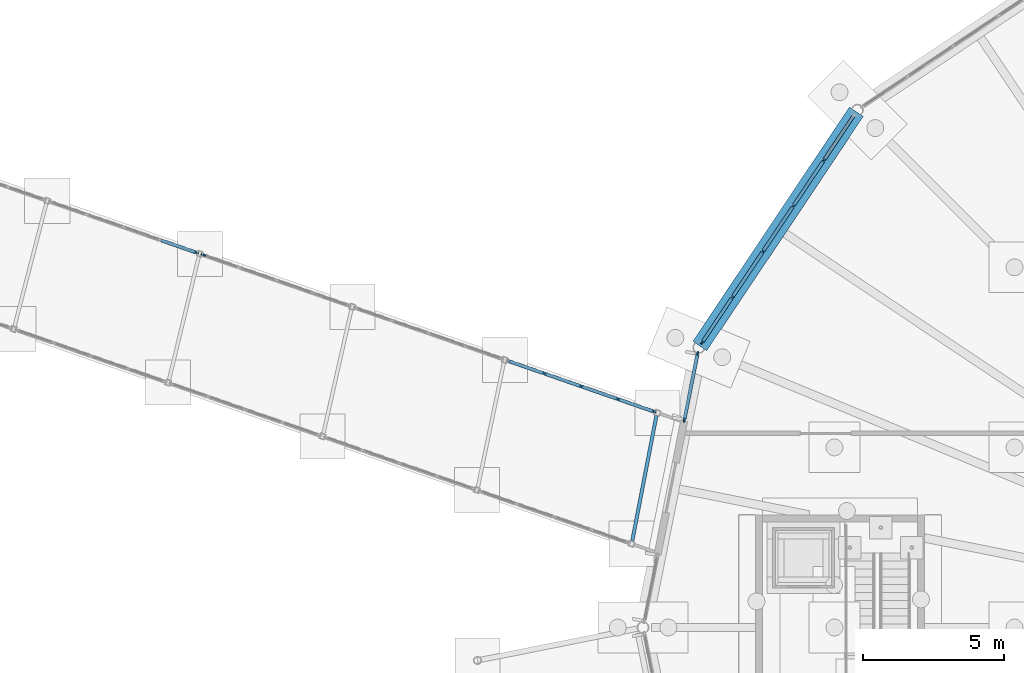
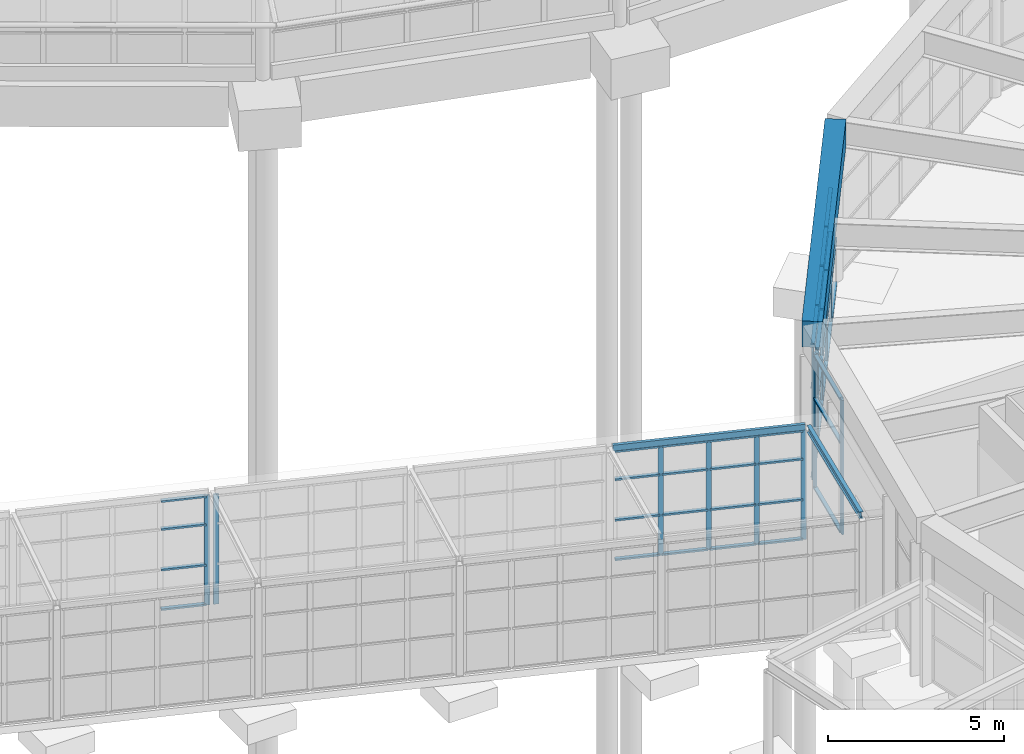
# One storey, part 57 of 226: 55 members, 3 beams, 5 elements without a shape of their own.
"""IFC4 building model written with IfcOpenShell, lengths in metres."""

from ifc_helpers import new_model, si_unit, direction, frame, origin, origin_2d, place, context, subcontext, project, spatial, rectangle, hollow_rectangle, i_section, extrude, material, material_profile, profile_set, type_object, element, aggregate, save


model = new_model("IFC4")

# Units and contexts
model_context = context("Model", 3, precision=1e-05, world=origin(), true_north=direction((0.0, 1.0)))
body_context = subcontext(model_context, "Body", "Model", "MODEL_VIEW")
ifc_project = project(units=[si_unit("LENGTHUNIT", "METRE"), si_unit("AREAUNIT", "SQUARE_METRE"), si_unit("VOLUMEUNIT", "CUBIC_METRE"), si_unit("PLANEANGLEUNIT", "RADIAN"), si_unit("MASSUNIT", "GRAM", prefix="KILO")], contexts=[model_context])

# Site, building, storey
site_placement = place(None, origin())
site = spatial("IfcSite", under=ifc_project, at=site_placement, CompositionType="ELEMENT")
building_placement = place(site_placement, origin())
building = spatial("IfcBuilding", under=site, at=building_placement, Name="Ceibo Conservatory and Research Tower", CompositionType="ELEMENT")
storey_placement = place(building_placement, origin())
storey = spatial("IfcBuildingStorey", under=building, at=storey_placement, Name="L00", CompositionType="ELEMENT", Elevation=0.0)

# Curtain wall, member
ifc_material_1 = material(Name="Aluminium and glass", Category="aluminium")
curtain_wall_type_1 = type_object("IfcCurtainWallType", Name="Gallery curtain wall", PredefinedType="NOTDEFINED", material=ifc_material_1)
curtain_wall_1_placement = place(storey_placement, origin())
curtain_wall_1 = element("IfcCurtainWall", 1, at=curtain_wall_1_placement, inside=storey, type_object=curtain_wall_type_1, Name="Gallery curtain wall AUD-VC-CWN11", PredefinedType="NOTDEFINED")
ifc_material_2 = material(Name="Aluminium", Category="aluminium")
ifc_material_profile_1 = material_profile(ifc_material_2, rectangle(XDim=0.06005859375, YDim=0.159912109375, at=origin_2d()), Name="AL 60x160")
ifc_profile_set_1 = profile_set([ifc_material_profile_1], Name="Aluminium")
member_type_1 = type_object("IfcMemberType", Name="Gallery mullion 60x160", PredefinedType="MULLION", material=ifc_profile_set_1)
member_1_placement = place(storey_placement, frame((126.123291015625, 49.324462890625, 0.0), z_axis=(0.0, 0.0, 1.0), x_axis=(0.328283515513, 0.944579236191, 0.0)))
member_1 = element("IfcMember", 2, at=member_1_placement, type_object=member_type_1, Name="AUD-VC-CWN11 mullion 5", PredefinedType="MULLION", context=body_context, shape_type="SweptSolid", body=[
    extrude(rectangle(XDim=0.06005859375, YDim=0.159912109375, at=origin_2d()), origin(), (0.0, 0.0, 1.0), 3.800048828125),
])

curtain_wall_2_placement = place(storey_placement, origin())
curtain_wall_2 = element("IfcCurtainWall", 3, at=curtain_wall_2_placement, inside=storey, type_object=curtain_wall_type_1, Name="Gallery curtain wall AUD-VC-CWN12", PredefinedType="NOTDEFINED")
member_2_placement = place(storey_placement, frame((126.368896484375, 49.2392578125, 0.0), z_axis=(0.0, 0.0, 1.0), x_axis=(0.328283515513, 0.944579236191, 0.0)))
member_2 = element("IfcMember", 4, at=member_2_placement, type_object=member_type_1, Name="AUD-VC-CWN12 mullion 1", PredefinedType="MULLION", context=body_context, shape_type="SweptSolid", body=[
    extrude(rectangle(XDim=0.06005859375, YDim=0.159912109375, at=origin_2d()), origin(), (0.0, 0.0, 1.0), 3.800048828125),
])
aggregate(curtain_wall_2, [member_2])

# Curtain wall, members
curtain_wall_3_placement = place(storey_placement, origin())
curtain_wall_3 = element("IfcCurtainWall", 5, at=curtain_wall_3_placement, inside=storey, type_object=curtain_wall_type_1, Name="Gallery curtain wall AUD-VC-CWN14", PredefinedType="NOTDEFINED")
member_3_placement = place(storey_placement, frame((138.48974609375, 45.026611328125, 0.0), z_axis=(0.0, 0.0, 1.0), x_axis=(0.328283515513, 0.944579236191, 0.0)))
member_3 = element("IfcMember", 6, at=member_3_placement, type_object=member_type_1, Name="AUD-VC-CWN14 mullion 2", PredefinedType="MULLION", context=body_context, shape_type="SweptSolid", body=[
    extrude(rectangle(XDim=0.06005859375, YDim=0.159912109375, at=origin_2d()), origin(), (0.0, 0.0, 1.0), 3.800048828125),
])
member_4_placement = place(storey_placement, frame((139.797607421875, 44.572021484375, 0.0), z_axis=(0.0, 0.0, 1.0), x_axis=(0.328283515513, 0.944579236191, 0.0)))
member_4 = element("IfcMember", 7, at=member_4_placement, type_object=member_type_1, Name="AUD-VC-CWN14 mullion 3", PredefinedType="MULLION", context=body_context, shape_type="SweptSolid", body=[
    extrude(rectangle(XDim=0.06005859375, YDim=0.159912109375, at=origin_2d()), origin(), (0.0, 0.0, 1.0), 3.800048828125),
])
member_5_placement = place(storey_placement, frame((141.10546875, 44.11767578125, 0.0), z_axis=(0.0, 0.0, 1.0), x_axis=(0.328283515513, 0.944579236191, 0.0)))
member_5 = element("IfcMember", 8, at=member_5_placement, type_object=member_type_1, Name="AUD-VC-CWN14 mullion 4", PredefinedType="MULLION", context=body_context, shape_type="SweptSolid", body=[
    extrude(rectangle(XDim=0.06005859375, YDim=0.159912109375, at=origin_2d()), origin(), (0.0, 0.0, 1.0), 3.800048828125),
])
member_6_placement = place(storey_placement, frame((142.385009765625, 43.6728515625, 0.0), z_axis=(0.0, 0.0, 1.0), x_axis=(0.328283515513, 0.944579236191, 0.0)))
member_6 = element("IfcMember", 9, at=member_6_placement, type_object=member_type_1, Name="AUD-VC-CWN14 mullion 5", PredefinedType="MULLION", context=body_context, shape_type="SweptSolid", body=[
    extrude(rectangle(XDim=0.06005859375, YDim=0.159912109375, at=origin_2d()), origin(), (0.0, 0.0, 1.0), 3.800048828125),
])

# Member
ifc_material_profile_2 = material_profile(ifc_material_2, rectangle(XDim=0.1201171875, YDim=0.06005859375, at=origin_2d()), Name="AL 60x120")
ifc_profile_set_2 = profile_set([ifc_material_profile_2], Name="Aluminium")
member_type_2 = type_object("IfcMemberType", Name="Gallery transom 60x120", PredefinedType="USERDEFINED", material=ifc_profile_set_2)
member_7_placement = place(storey_placement, frame((124.8720703125, 49.759521484375, 0.030029296875), z_axis=(0.944570549154, -0.328308509898, 0.0), x_axis=(0.328308509898, 0.944570549154, 0.0)))
member_7 = element("IfcMember", 10, at=member_7_placement, type_object=member_type_2, Name="AUD-VC-CWN11 transom 4.1", ObjectType="TRANSOM", PredefinedType="USERDEFINED", context=body_context, shape_type="SweptSolid", body=[
    extrude(rectangle(XDim=0.1201171875, YDim=0.06005859375, at=origin_2d()), origin(), (0.0, 0.0, 1.0), 1.294677734375),
])

member_8_placement = place(storey_placement, frame((124.8720703125, 49.759521484375, 1.39990234375), z_axis=(0.944570549154, -0.328308509898, 0.0), x_axis=(0.328308509898, 0.944570549154, 0.0)))
member_8 = element("IfcMember", 11, at=member_8_placement, type_object=member_type_2, Name="AUD-VC-CWN11 transom 4.2", ObjectType="TRANSOM", PredefinedType="USERDEFINED", context=body_context, shape_type="SweptSolid", body=[
    extrude(rectangle(XDim=0.1201171875, YDim=0.06005859375, at=origin_2d()), origin(), (0.0, 0.0, 1.0), 1.294677734375),
])

member_9_placement = place(storey_placement, frame((124.8720703125, 49.759521484375, 2.800048828125), z_axis=(0.944570549154, -0.328308509898, 0.0), x_axis=(0.328308509898, 0.944570549154, 0.0)))
member_9 = element("IfcMember", 12, at=member_9_placement, type_object=member_type_2, Name="AUD-VC-CWN11 transom 4.3", ObjectType="TRANSOM", PredefinedType="USERDEFINED", context=body_context, shape_type="SweptSolid", body=[
    extrude(rectangle(XDim=0.1201171875, YDim=0.06005859375, at=origin_2d()), origin(), (0.0, 0.0, 1.0), 1.294677734375),
])

member_10_placement = place(storey_placement, frame((124.8720703125, 49.759521484375, 3.77001953125), z_axis=(0.944570549154, -0.328308509898, 0.0), x_axis=(0.328308509898, 0.944570549154, 0.0)))
member_10 = element("IfcMember", 13, at=member_10_placement, type_object=member_type_2, Name="AUD-VC-CWN11 transom 4.4", ObjectType="TRANSOM", PredefinedType="USERDEFINED", context=body_context, shape_type="SweptSolid", body=[
    extrude(rectangle(XDim=0.1201171875, YDim=0.06005859375, at=origin_2d()), origin(), (0.0, 0.0, 1.0), 1.294677734375),
])

aggregate(curtain_wall_1, [member_1, member_7, member_8, member_9, member_10])

member_11_placement = place(storey_placement, frame((137.23828125, 45.461669921875, 0.030029296875), z_axis=(0.944570549154, -0.328308509898, 0.0), x_axis=(0.328308509898, 0.944570549154, 0.0)))
member_11 = element("IfcMember", 14, at=member_11_placement, type_object=member_type_2, Name="AUD-VC-CWN14 transom 1.1", ObjectType="TRANSOM", PredefinedType="USERDEFINED", context=body_context, shape_type="SweptSolid", body=[
    extrude(rectangle(XDim=0.1201171875, YDim=0.06005859375, at=origin_2d()), origin(), (0.0, 0.0, 1.0), 1.294677734375),
])

member_12_placement = place(storey_placement, frame((137.23828125, 45.461669921875, 1.39990234375), z_axis=(0.944570549154, -0.328308509898, 0.0), x_axis=(0.328308509898, 0.944570549154, 0.0)))
member_12 = element("IfcMember", 15, at=member_12_placement, type_object=member_type_2, Name="AUD-VC-CWN14 transom 1.2", ObjectType="TRANSOM", PredefinedType="USERDEFINED", context=body_context, shape_type="SweptSolid", body=[
    extrude(rectangle(XDim=0.1201171875, YDim=0.06005859375, at=origin_2d()), origin(), (0.0, 0.0, 1.0), 1.294677734375),
])

member_13_placement = place(storey_placement, frame((137.23828125, 45.461669921875, 2.800048828125), z_axis=(0.944570549154, -0.328308509898, 0.0), x_axis=(0.328308509898, 0.944570549154, 0.0)))
member_13 = element("IfcMember", 16, at=member_13_placement, type_object=member_type_2, Name="AUD-VC-CWN14 transom 1.3", ObjectType="TRANSOM", PredefinedType="USERDEFINED", context=body_context, shape_type="SweptSolid", body=[
    extrude(rectangle(XDim=0.1201171875, YDim=0.06005859375, at=origin_2d()), origin(), (0.0, 0.0, 1.0), 1.294677734375),
])

member_14_placement = place(storey_placement, frame((137.23828125, 45.461669921875, 3.77001953125), z_axis=(0.944570549154, -0.328308509898, 0.0), x_axis=(0.328308509898, 0.944570549154, 0.0)))
member_14 = element("IfcMember", 17, at=member_14_placement, type_object=member_type_2, Name="AUD-VC-CWN14 transom 1.4", ObjectType="TRANSOM", PredefinedType="USERDEFINED", context=body_context, shape_type="SweptSolid", body=[
    extrude(rectangle(XDim=0.1201171875, YDim=0.06005859375, at=origin_2d()), origin(), (0.0, 0.0, 1.0), 1.294677734375),
])

member_15_placement = place(storey_placement, frame((138.51806640625, 45.016845703125, 0.030029296875), z_axis=(0.944588759267, -0.32825611322, 0.0), x_axis=(0.32825611322, 0.944588759267, 0.0)))
member_15 = element("IfcMember", 18, at=member_15_placement, type_object=member_type_2, Name="AUD-VC-CWN14 transom 2.1", ObjectType="TRANSOM", PredefinedType="USERDEFINED", context=body_context, shape_type="SweptSolid", body=[
    extrude(rectangle(XDim=0.1201171875, YDim=0.06005859375, at=origin_2d()), origin(), (0.0, 0.0, 1.0), 1.32470703125),
])

member_16_placement = place(storey_placement, frame((138.51806640625, 45.016845703125, 1.39990234375), z_axis=(0.944588759267, -0.32825611322, 0.0), x_axis=(0.32825611322, 0.944588759267, 0.0)))
member_16 = element("IfcMember", 19, at=member_16_placement, type_object=member_type_2, Name="AUD-VC-CWN14 transom 2.2", ObjectType="TRANSOM", PredefinedType="USERDEFINED", context=body_context, shape_type="SweptSolid", body=[
    extrude(rectangle(XDim=0.1201171875, YDim=0.06005859375, at=origin_2d()), origin(), (0.0, 0.0, 1.0), 1.32470703125),
])

member_17_placement = place(storey_placement, frame((138.51806640625, 45.016845703125, 2.800048828125), z_axis=(0.944588759267, -0.32825611322, 0.0), x_axis=(0.32825611322, 0.944588759267, 0.0)))
member_17 = element("IfcMember", 20, at=member_17_placement, type_object=member_type_2, Name="AUD-VC-CWN14 transom 2.3", ObjectType="TRANSOM", PredefinedType="USERDEFINED", context=body_context, shape_type="SweptSolid", body=[
    extrude(rectangle(XDim=0.1201171875, YDim=0.06005859375, at=origin_2d()), origin(), (0.0, 0.0, 1.0), 1.32470703125),
])

member_18_placement = place(storey_placement, frame((138.51806640625, 45.016845703125, 3.77001953125), z_axis=(0.944588759267, -0.32825611322, 0.0), x_axis=(0.32825611322, 0.944588759267, 0.0)))
member_18 = element("IfcMember", 21, at=member_18_placement, type_object=member_type_2, Name="AUD-VC-CWN14 transom 2.4", ObjectType="TRANSOM", PredefinedType="USERDEFINED", context=body_context, shape_type="SweptSolid", body=[
    extrude(rectangle(XDim=0.1201171875, YDim=0.06005859375, at=origin_2d()), origin(), (0.0, 0.0, 1.0), 1.32470703125),
])

member_19_placement = place(storey_placement, frame((139.825927734375, 44.562255859375, 0.030029296875), z_axis=(0.944588759267, -0.32825611322, 0.0), x_axis=(0.32825611322, 0.944588759267, 0.0)))
member_19 = element("IfcMember", 22, at=member_19_placement, type_object=member_type_2, Name="AUD-VC-CWN14 transom 3.1", ObjectType="TRANSOM", PredefinedType="USERDEFINED", context=body_context, shape_type="SweptSolid", body=[
    extrude(rectangle(XDim=0.1201171875, YDim=0.06005859375, at=origin_2d()), origin(), (0.0, 0.0, 1.0), 1.32470703125),
])

member_20_placement = place(storey_placement, frame((139.825927734375, 44.562255859375, 1.39990234375), z_axis=(0.944588759267, -0.32825611322, 0.0), x_axis=(0.32825611322, 0.944588759267, 0.0)))
member_20 = element("IfcMember", 23, at=member_20_placement, type_object=member_type_2, Name="AUD-VC-CWN14 transom 3.2", ObjectType="TRANSOM", PredefinedType="USERDEFINED", context=body_context, shape_type="SweptSolid", body=[
    extrude(rectangle(XDim=0.1201171875, YDim=0.06005859375, at=origin_2d()), origin(), (0.0, 0.0, 1.0), 1.32470703125),
])

member_21_placement = place(storey_placement, frame((139.825927734375, 44.562255859375, 2.800048828125), z_axis=(0.944588759267, -0.32825611322, 0.0), x_axis=(0.32825611322, 0.944588759267, 0.0)))
member_21 = element("IfcMember", 24, at=member_21_placement, type_object=member_type_2, Name="AUD-VC-CWN14 transom 3.3", ObjectType="TRANSOM", PredefinedType="USERDEFINED", context=body_context, shape_type="SweptSolid", body=[
    extrude(rectangle(XDim=0.1201171875, YDim=0.06005859375, at=origin_2d()), origin(), (0.0, 0.0, 1.0), 1.32470703125),
])

member_22_placement = place(storey_placement, frame((139.825927734375, 44.562255859375, 3.77001953125), z_axis=(0.944588759267, -0.32825611322, 0.0), x_axis=(0.32825611322, 0.944588759267, 0.0)))
member_22 = element("IfcMember", 25, at=member_22_placement, type_object=member_type_2, Name="AUD-VC-CWN14 transom 3.4", ObjectType="TRANSOM", PredefinedType="USERDEFINED", context=body_context, shape_type="SweptSolid", body=[
    extrude(rectangle(XDim=0.1201171875, YDim=0.06005859375, at=origin_2d()), origin(), (0.0, 0.0, 1.0), 1.32470703125),
])

member_23_placement = place(storey_placement, frame((141.1337890625, 44.107666015625, 0.030029296875), z_axis=(0.944570549154, -0.328308509898, 0.0), x_axis=(0.328308509898, 0.944570549154, 0.0)))
member_23 = element("IfcMember", 26, at=member_23_placement, type_object=member_type_2, Name="AUD-VC-CWN14 transom 4.1", ObjectType="TRANSOM", PredefinedType="USERDEFINED", context=body_context, shape_type="SweptSolid", body=[
    extrude(rectangle(XDim=0.1201171875, YDim=0.06005859375, at=origin_2d()), origin(), (0.0, 0.0, 1.0), 1.294677734375),
])

member_24_placement = place(storey_placement, frame((141.1337890625, 44.107666015625, 1.39990234375), z_axis=(0.944570549154, -0.328308509898, 0.0), x_axis=(0.328308509898, 0.944570549154, 0.0)))
member_24 = element("IfcMember", 27, at=member_24_placement, type_object=member_type_2, Name="AUD-VC-CWN14 transom 4.2", ObjectType="TRANSOM", PredefinedType="USERDEFINED", context=body_context, shape_type="SweptSolid", body=[
    extrude(rectangle(XDim=0.1201171875, YDim=0.06005859375, at=origin_2d()), origin(), (0.0, 0.0, 1.0), 1.294677734375),
])

member_25_placement = place(storey_placement, frame((141.1337890625, 44.107666015625, 2.800048828125), z_axis=(0.944570549154, -0.328308509898, 0.0), x_axis=(0.328308509898, 0.944570549154, 0.0)))
member_25 = element("IfcMember", 28, at=member_25_placement, type_object=member_type_2, Name="AUD-VC-CWN14 transom 4.3", ObjectType="TRANSOM", PredefinedType="USERDEFINED", context=body_context, shape_type="SweptSolid", body=[
    extrude(rectangle(XDim=0.1201171875, YDim=0.06005859375, at=origin_2d()), origin(), (0.0, 0.0, 1.0), 1.294677734375),
])

member_26_placement = place(storey_placement, frame((141.1337890625, 44.107666015625, 3.77001953125), z_axis=(0.944570549154, -0.328308509898, 0.0), x_axis=(0.328308509898, 0.944570549154, 0.0)))
member_26 = element("IfcMember", 29, at=member_26_placement, type_object=member_type_2, Name="AUD-VC-CWN14 transom 4.4", ObjectType="TRANSOM", PredefinedType="USERDEFINED", context=body_context, shape_type="SweptSolid", body=[
    extrude(rectangle(XDim=0.1201171875, YDim=0.06005859375, at=origin_2d()), origin(), (0.0, 0.0, 1.0), 1.294677734375),
])

aggregate(curtain_wall_3, [member_3, member_4, member_5, member_6, member_11, member_12, member_13, member_14, member_15, member_16, member_17, member_18, member_19, member_20, member_21, member_22, member_23, member_24, member_25, member_26])

# Beam
ifc_material_3 = material(Name="Steel S355J2", Category="steel")
ifc_material_profile_3 = material_profile(ifc_material_3, i_section(OverallWidth=0.1201171875, OverallDepth=0.239990234375, WebThickness=0.006103515625, FlangeThickness=0.009765625, at=origin_2d()), Name="IPE 240")
ifc_profile_set_3 = profile_set([ifc_material_profile_3], Name="Steel S355J2")
beam_type_1 = type_object("IfcBeamType", Name="IPE 240 roof beam", PredefinedType="BEAM", material=ifc_profile_set_3)
beam_1_placement = place(storey_placement, frame((142.4765625, 43.54052734375, 3.8798828125), z_axis=(-0.189435520747, -0.981893162966, 0.0), x_axis=(0.981893162966, -0.189435520747, 0.0)))
element("IfcBeam", 30, at=beam_1_placement, inside=storey, type_object=beam_type_1, Name="Gallery roof beam AUD-VC-RB14", PredefinedType="BEAM", context=body_context, shape_type="SweptSolid", body=[
    extrude(i_section(OverallWidth=0.1201171875, OverallDepth=0.239990234375, WebThickness=0.006103515625, FlangeThickness=0.009765625, at=origin_2d()), origin(), (0.0, 0.0, 1.0), 4.55712890625),
])

# Curtain wall, members
curtain_wall_type_2 = type_object("IfcCurtainWallType", Name="Pavilion curtain wall", PredefinedType="NOTDEFINED", material=ifc_material_1)
curtain_wall_4_placement = place(storey_placement, origin())
curtain_wall_4 = element("IfcCurtainWall", 31, at=curtain_wall_4_placement, inside=storey, type_object=curtain_wall_type_2, Name="Pavilion curtain wall VC-CW07", PredefinedType="NOTDEFINED")
ifc_material_profile_4 = material_profile(ifc_material_2, rectangle(XDim=0.06005859375, YDim=0.159912109375, at=origin_2d()), Name="AL 60x160")
ifc_profile_set_4 = profile_set([ifc_material_profile_4], Name="Aluminium")
member_type_3 = type_object("IfcMemberType", Name="Pavilion mullion 60x160", PredefinedType="MULLION", material=ifc_profile_set_4)
member_27_placement = place(storey_placement, frame((148.420166015625, 52.596435546875, 0.0), z_axis=(0.0, 0.0, 1.0), x_axis=(0.831469588992, -0.555570267906, 0.0)))
member_27 = element("IfcMember", 32, at=member_27_placement, type_object=member_type_3, Name="VC-CW07 mullion 2", PredefinedType="MULLION", context=body_context, shape_type="SweptSolid", body=[
    extrude(rectangle(XDim=0.06005859375, YDim=0.159912109375, at=origin_2d()), origin(), (0.0, 0.0, 1.0), 4.64892578125),
])
member_28_placement = place(storey_placement, frame((147.338134765625, 50.97705078125, 0.0), z_axis=(0.0, 0.0, 1.0), x_axis=(0.831469588992, -0.555570267906, 0.0)))
member_28 = element("IfcMember", 33, at=member_28_placement, type_object=member_type_3, Name="VC-CW07 mullion 3", PredefinedType="MULLION", context=body_context, shape_type="SweptSolid", body=[
    extrude(rectangle(XDim=0.06005859375, YDim=0.159912109375, at=origin_2d()), origin(), (0.0, 0.0, 1.0), 4.64892578125),
])
member_29_placement = place(storey_placement, frame((146.256103515625, 49.357666015625, 0.0), z_axis=(0.0, 0.0, 1.0), x_axis=(0.831469588992, -0.555570267906, 0.0)))
member_29 = element("IfcMember", 34, at=member_29_placement, type_object=member_type_3, Name="VC-CW07 mullion 4", PredefinedType="MULLION", context=body_context, shape_type="SweptSolid", body=[
    extrude(rectangle(XDim=0.06005859375, YDim=0.159912109375, at=origin_2d()), origin(), (0.0, 0.0, 1.0), 4.64892578125),
])
member_30_placement = place(storey_placement, frame((145.174072265625, 47.738037109375, 0.0), z_axis=(0.0, 0.0, 1.0), x_axis=(0.831469588992, -0.555570267906, 0.0)))
member_30 = element("IfcMember", 35, at=member_30_placement, type_object=member_type_3, Name="VC-CW07 mullion 5", PredefinedType="MULLION", context=body_context, shape_type="SweptSolid", body=[
    extrude(rectangle(XDim=0.06005859375, YDim=0.159912109375, at=origin_2d()), origin(), (0.0, 0.0, 1.0), 4.64892578125),
])
member_31_placement = place(storey_placement, frame((144.108642578125, 46.1435546875, 0.0), z_axis=(0.0, 0.0, 1.0), x_axis=(0.831469588992, -0.555570267906, 0.0)))
member_31 = element("IfcMember", 36, at=member_31_placement, type_object=member_type_3, Name="VC-CW07 mullion 6", PredefinedType="MULLION", context=body_context, shape_type="SweptSolid", body=[
    extrude(rectangle(XDim=0.06005859375, YDim=0.159912109375, at=origin_2d()), origin(), (0.0, 0.0, 1.0), 4.64892578125),
])

curtain_wall_5_placement = place(storey_placement, origin())
curtain_wall_5 = element("IfcCurtainWall", 37, at=curtain_wall_5_placement, inside=storey, type_object=curtain_wall_type_2, Name="Pavilion curtain wall VC-CW08W", PredefinedType="NOTDEFINED")
member_32_placement = place(storey_placement, frame((143.93359375, 45.720947265625, 0.0), z_axis=(0.0, 0.0, 1.0), x_axis=(0.980785282416, -0.195090311899, 0.0)))
member_32 = element("IfcMember", 38, at=member_32_placement, type_object=member_type_3, Name="VC-CW08W mullion 1", PredefinedType="MULLION", context=body_context, shape_type="SweptSolid", body=[
    extrude(rectangle(XDim=0.06005859375, YDim=0.159912109375, at=origin_2d()), origin(), (0.0, 0.0, 1.0), 4.64892578125),
])
member_33_placement = place(storey_placement, frame((143.468017578125, 43.380859375, 0.0), z_axis=(0.0, 0.0, 1.0), x_axis=(0.980785282416, -0.195090311899, 0.0)))
member_33 = element("IfcMember", 39, at=member_33_placement, type_object=member_type_3, Name="VC-CW08W mullion 2", PredefinedType="MULLION", context=body_context, shape_type="SweptSolid", body=[
    extrude(rectangle(XDim=0.06005859375, YDim=0.159912109375, at=origin_2d()), origin(), (0.0, 0.0, 1.0), 4.64892578125),
])

# Member
ifc_material_profile_5 = material_profile(ifc_material_2, rectangle(XDim=0.1201171875, YDim=0.06005859375, at=origin_2d()), Name="AL 60x120")
ifc_profile_set_5 = profile_set([ifc_material_profile_5], Name="Aluminium")
member_type_4 = type_object("IfcMemberType", Name="Pavilion transom 60x120", PredefinedType="USERDEFINED", material=ifc_profile_set_5)
member_34_placement = place(storey_placement, frame((149.468994140625, 54.166015625, 0.030029296875), z_axis=(-0.555518784793, -0.831503986606, 0.0), x_axis=(0.831503986606, -0.555518784793, 0.0)))
member_34 = element("IfcMember", 40, at=member_34_placement, type_object=member_type_4, Name="VC-CW07 transom 1.1", ObjectType="TRANSOM", PredefinedType="USERDEFINED", context=body_context, shape_type="SweptSolid", body=[
    extrude(rectangle(XDim=0.1201171875, YDim=0.06005859375, at=origin_2d()), origin(), (0.0, 0.0, 1.0), 1.857666015625),
])

member_35_placement = place(storey_placement, frame((149.468994140625, 54.166015625, 1.5810546875), z_axis=(-0.555518784793, -0.831503986606, 0.0), x_axis=(0.831503986606, -0.555518784793, 0.0)))
member_35 = element("IfcMember", 41, at=member_35_placement, type_object=member_type_4, Name="VC-CW07 transom 1.2", ObjectType="TRANSOM", PredefinedType="USERDEFINED", context=body_context, shape_type="SweptSolid", body=[
    extrude(rectangle(XDim=0.1201171875, YDim=0.06005859375, at=origin_2d()), origin(), (0.0, 0.0, 1.0), 1.857666015625),
])

member_36_placement = place(storey_placement, frame((148.403564453125, 52.571533203125, 0.030029296875), z_axis=(-0.555505809977, -0.831512654794, 0.0), x_axis=(0.831512654794, -0.555505809977, 0.0)))
member_36 = element("IfcMember", 42, at=member_36_placement, type_object=member_type_4, Name="VC-CW07 transom 2.1", ObjectType="TRANSOM", PredefinedType="USERDEFINED", context=body_context, shape_type="SweptSolid", body=[
    extrude(rectangle(XDim=0.1201171875, YDim=0.06005859375, at=origin_2d()), origin(), (0.0, 0.0, 1.0), 1.8876953125),
])

member_37_placement = place(storey_placement, frame((148.403564453125, 52.571533203125, 1.5810546875), z_axis=(-0.555505809977, -0.831512654794, 0.0), x_axis=(0.831512654794, -0.555505809977, 0.0)))
member_37 = element("IfcMember", 43, at=member_37_placement, type_object=member_type_4, Name="VC-CW07 transom 2.2", ObjectType="TRANSOM", PredefinedType="USERDEFINED", context=body_context, shape_type="SweptSolid", body=[
    extrude(rectangle(XDim=0.1201171875, YDim=0.06005859375, at=origin_2d()), origin(), (0.0, 0.0, 1.0), 1.8876953125),
])

member_38_placement = place(storey_placement, frame((148.403564453125, 52.571533203125, 3.114990234375), z_axis=(-0.555505809977, -0.831512654794, 0.0), x_axis=(0.831512654794, -0.555505809977, 0.0)))
member_38 = element("IfcMember", 44, at=member_38_placement, type_object=member_type_4, Name="VC-CW07 transom 2.3", ObjectType="TRANSOM", PredefinedType="USERDEFINED", context=body_context, shape_type="SweptSolid", body=[
    extrude(rectangle(XDim=0.1201171875, YDim=0.06005859375, at=origin_2d()), origin(), (0.0, 0.0, 1.0), 1.8876953125),
])

member_39_placement = place(storey_placement, frame((148.403564453125, 52.571533203125, 4.618896484375), z_axis=(-0.555505809977, -0.831512654794, 0.0), x_axis=(0.831512654794, -0.555505809977, 0.0)))
member_39 = element("IfcMember", 45, at=member_39_placement, type_object=member_type_4, Name="VC-CW07 transom 2.4", ObjectType="TRANSOM", PredefinedType="USERDEFINED", context=body_context, shape_type="SweptSolid", body=[
    extrude(rectangle(XDim=0.1201171875, YDim=0.06005859375, at=origin_2d()), origin(), (0.0, 0.0, 1.0), 1.8876953125),
])

member_40_placement = place(storey_placement, frame((147.321533203125, 50.9521484375, 0.030029296875), z_axis=(-0.555595226207, -0.831452911845, 0.0), x_axis=(0.831452911845, -0.555595226207, 0.0)))
member_40 = element("IfcMember", 46, at=member_40_placement, type_object=member_type_4, Name="VC-CW07 transom 3.1", ObjectType="TRANSOM", PredefinedType="USERDEFINED", context=body_context, shape_type="SweptSolid", body=[
    extrude(rectangle(XDim=0.1201171875, YDim=0.06005859375, at=origin_2d()), origin(), (0.0, 0.0, 1.0), 1.8876953125),
])

member_41_placement = place(storey_placement, frame((147.321533203125, 50.9521484375, 1.5810546875), z_axis=(-0.555595226207, -0.831452911845, 0.0), x_axis=(0.831452911845, -0.555595226207, 0.0)))
member_41 = element("IfcMember", 47, at=member_41_placement, type_object=member_type_4, Name="VC-CW07 transom 3.2", ObjectType="TRANSOM", PredefinedType="USERDEFINED", context=body_context, shape_type="SweptSolid", body=[
    extrude(rectangle(XDim=0.1201171875, YDim=0.06005859375, at=origin_2d()), origin(), (0.0, 0.0, 1.0), 1.8876953125),
])

member_42_placement = place(storey_placement, frame((147.321533203125, 50.9521484375, 3.114990234375), z_axis=(-0.555595226207, -0.831452911845, 0.0), x_axis=(0.831452911845, -0.555595226207, 0.0)))
member_42 = element("IfcMember", 48, at=member_42_placement, type_object=member_type_4, Name="VC-CW07 transom 3.3", ObjectType="TRANSOM", PredefinedType="USERDEFINED", context=body_context, shape_type="SweptSolid", body=[
    extrude(rectangle(XDim=0.1201171875, YDim=0.06005859375, at=origin_2d()), origin(), (0.0, 0.0, 1.0), 1.8876953125),
])

member_43_placement = place(storey_placement, frame((147.321533203125, 50.9521484375, 4.618896484375), z_axis=(-0.555595226207, -0.831452911845, 0.0), x_axis=(0.831452911845, -0.555595226207, 0.0)))
member_43 = element("IfcMember", 49, at=member_43_placement, type_object=member_type_4, Name="VC-CW07 transom 3.4", ObjectType="TRANSOM", PredefinedType="USERDEFINED", context=body_context, shape_type="SweptSolid", body=[
    extrude(rectangle(XDim=0.1201171875, YDim=0.06005859375, at=origin_2d()), origin(), (0.0, 0.0, 1.0), 1.8876953125),
])

member_44_placement = place(storey_placement, frame((146.239501953125, 49.33251953125, 0.030029296875), z_axis=(-0.555654974661, -0.831412983501, 0.0), x_axis=(0.831412983501, -0.555654974661, 0.0)))
member_44 = element("IfcMember", 50, at=member_44_placement, type_object=member_type_4, Name="VC-CW07 transom 4.1", ObjectType="TRANSOM", PredefinedType="USERDEFINED", context=body_context, shape_type="SweptSolid", body=[
    extrude(rectangle(XDim=0.1201171875, YDim=0.06005859375, at=origin_2d()), origin(), (0.0, 0.0, 1.0), 1.887451171875),
])

member_45_placement = place(storey_placement, frame((146.239501953125, 49.33251953125, 1.5810546875), z_axis=(-0.555654974661, -0.831412983501, 0.0), x_axis=(0.831412983501, -0.555654974661, 0.0)))
member_45 = element("IfcMember", 51, at=member_45_placement, type_object=member_type_4, Name="VC-CW07 transom 4.2", ObjectType="TRANSOM", PredefinedType="USERDEFINED", context=body_context, shape_type="SweptSolid", body=[
    extrude(rectangle(XDim=0.1201171875, YDim=0.06005859375, at=origin_2d()), origin(), (0.0, 0.0, 1.0), 1.887451171875),
])

member_46_placement = place(storey_placement, frame((146.239501953125, 49.33251953125, 3.114990234375), z_axis=(-0.555654974661, -0.831412983501, 0.0), x_axis=(0.831412983501, -0.555654974661, 0.0)))
member_46 = element("IfcMember", 52, at=member_46_placement, type_object=member_type_4, Name="VC-CW07 transom 4.3", ObjectType="TRANSOM", PredefinedType="USERDEFINED", context=body_context, shape_type="SweptSolid", body=[
    extrude(rectangle(XDim=0.1201171875, YDim=0.06005859375, at=origin_2d()), origin(), (0.0, 0.0, 1.0), 1.887451171875),
])

member_47_placement = place(storey_placement, frame((146.239501953125, 49.33251953125, 4.618896484375), z_axis=(-0.555654974661, -0.831412983501, 0.0), x_axis=(0.831412983501, -0.555654974661, 0.0)))
member_47 = element("IfcMember", 53, at=member_47_placement, type_object=member_type_4, Name="VC-CW07 transom 4.4", ObjectType="TRANSOM", PredefinedType="USERDEFINED", context=body_context, shape_type="SweptSolid", body=[
    extrude(rectangle(XDim=0.1201171875, YDim=0.06005859375, at=origin_2d()), origin(), (0.0, 0.0, 1.0), 1.887451171875),
])

member_48_placement = place(storey_placement, frame((145.157470703125, 47.713134765625, 0.030029296875), z_axis=(-0.555670351469, -0.831402706574, 0.0), x_axis=(0.831402706574, -0.555670351469, 0.0)))
member_48 = element("IfcMember", 54, at=member_48_placement, type_object=member_type_4, Name="VC-CW07 transom 5.1", ObjectType="TRANSOM", PredefinedType="USERDEFINED", context=body_context, shape_type="SweptSolid", body=[
    extrude(rectangle(XDim=0.1201171875, YDim=0.06005859375, at=origin_2d()), origin(), (0.0, 0.0, 1.0), 1.857666015625),
])

member_49_placement = place(storey_placement, frame((145.157470703125, 47.713134765625, 1.5810546875), z_axis=(-0.555670351469, -0.831402706574, 0.0), x_axis=(0.831402706574, -0.555670351469, 0.0)))
member_49 = element("IfcMember", 55, at=member_49_placement, type_object=member_type_4, Name="VC-CW07 transom 5.2", ObjectType="TRANSOM", PredefinedType="USERDEFINED", context=body_context, shape_type="SweptSolid", body=[
    extrude(rectangle(XDim=0.1201171875, YDim=0.06005859375, at=origin_2d()), origin(), (0.0, 0.0, 1.0), 1.857666015625),
])

member_50_placement = place(storey_placement, frame((145.157470703125, 47.713134765625, 3.114990234375), z_axis=(-0.555670351469, -0.831402706574, 0.0), x_axis=(0.831402706574, -0.555670351469, 0.0)))
member_50 = element("IfcMember", 56, at=member_50_placement, type_object=member_type_4, Name="VC-CW07 transom 5.3", ObjectType="TRANSOM", PredefinedType="USERDEFINED", context=body_context, shape_type="SweptSolid", body=[
    extrude(rectangle(XDim=0.1201171875, YDim=0.06005859375, at=origin_2d()), origin(), (0.0, 0.0, 1.0), 1.857666015625),
])

member_51_placement = place(storey_placement, frame((145.157470703125, 47.713134765625, 4.618896484375), z_axis=(-0.555670351469, -0.831402706574, 0.0), x_axis=(0.831402706574, -0.555670351469, 0.0)))
member_51 = element("IfcMember", 57, at=member_51_placement, type_object=member_type_4, Name="VC-CW07 transom 5.4", ObjectType="TRANSOM", PredefinedType="USERDEFINED", context=body_context, shape_type="SweptSolid", body=[
    extrude(rectangle(XDim=0.1201171875, YDim=0.06005859375, at=origin_2d()), origin(), (0.0, 0.0, 1.0), 1.857666015625),
])

aggregate(curtain_wall_4, [member_27, member_28, member_29, member_30, member_31, member_34, member_35, member_36, member_37, member_38, member_39, member_40, member_41, member_42, member_43, member_44, member_45, member_46, member_47, member_48, member_49, member_50, member_51])

member_52_placement = place(storey_placement, frame((143.927734375, 45.691650390625, 0.030029296875), z_axis=(-0.195106871726, -0.980781988316, 0.0), x_axis=(0.980781988316, -0.195106871726, 0.0)))
member_52 = element("IfcMember", 58, at=member_52_placement, type_object=member_type_4, Name="VC-CW08W transom 1.1", ObjectType="TRANSOM", PredefinedType="USERDEFINED", context=body_context, shape_type="SweptSolid", body=[
    extrude(rectangle(XDim=0.1201171875, YDim=0.06005859375, at=origin_2d()), origin(), (0.0, 0.0, 1.0), 2.326171875),
])

member_53_placement = place(storey_placement, frame((143.927734375, 45.691650390625, 1.5810546875), z_axis=(-0.195106871726, -0.980781988316, 0.0), x_axis=(0.980781988316, -0.195106871726, 0.0)))
member_53 = element("IfcMember", 59, at=member_53_placement, type_object=member_type_4, Name="VC-CW08W transom 1.2", ObjectType="TRANSOM", PredefinedType="USERDEFINED", context=body_context, shape_type="SweptSolid", body=[
    extrude(rectangle(XDim=0.1201171875, YDim=0.06005859375, at=origin_2d()), origin(), (0.0, 0.0, 1.0), 2.326171875),
])

member_54_placement = place(storey_placement, frame((143.927734375, 45.691650390625, 3.114990234375), z_axis=(-0.195106871726, -0.980781988316, 0.0), x_axis=(0.980781988316, -0.195106871726, 0.0)))
member_54 = element("IfcMember", 60, at=member_54_placement, type_object=member_type_4, Name="VC-CW08W transom 1.3", ObjectType="TRANSOM", PredefinedType="USERDEFINED", context=body_context, shape_type="SweptSolid", body=[
    extrude(rectangle(XDim=0.1201171875, YDim=0.06005859375, at=origin_2d()), origin(), (0.0, 0.0, 1.0), 2.326171875),
])

member_55_placement = place(storey_placement, frame((143.927734375, 45.691650390625, 4.618896484375), z_axis=(-0.195106871726, -0.980781988316, 0.0), x_axis=(0.980781988316, -0.195106871726, 0.0)))
member_55 = element("IfcMember", 61, at=member_55_placement, type_object=member_type_4, Name="VC-CW08W transom 1.4", ObjectType="TRANSOM", PredefinedType="USERDEFINED", context=body_context, shape_type="SweptSolid", body=[
    extrude(rectangle(XDim=0.1201171875, YDim=0.06005859375, at=origin_2d()), origin(), (0.0, 0.0, 1.0), 2.326171875),
])

aggregate(curtain_wall_5, [member_32, member_33, member_52, member_53, member_54, member_55])

# Beams
ifc_material_4 = material(Name="Concrete C35/45", Category="concrete")
ifc_material_profile_6 = material_profile(ifc_material_4, rectangle(XDim=0.60009765625, YDim=0.89990234375, at=origin_2d()), Name="RC 600x900")
ifc_profile_set_6 = profile_set([ifc_material_profile_6], Name="Concrete C35/45")
beam_type_2 = type_object("IfcBeamType", Name="RC ring beam 600x900", PredefinedType="BEAM", material=ifc_profile_set_6)
beam_2_placement = place(storey_placement, frame((149.5810546875, 54.33349609375, 5.09912109375), z_axis=(-0.555571295566, -0.831468902331, 0.0), x_axis=(0.831468902331, -0.555571295566, 0.0)))
element("IfcBeam", 62, at=beam_2_placement, inside=storey, type_object=beam_type_2, Name="Pavilion ring beam VC-RB07", PredefinedType="BEAM", context=body_context, shape_type="SweptSolid", body=[
    extrude(rectangle(XDim=0.60009765625, YDim=0.89990234375, at=origin_2d()), origin(), (0.0, 0.0, 1.0), 10.021484375),
])
ifc_material_5 = material(Name="Steel S355J2H", Category="steel")
ifc_material_profile_7 = material_profile(ifc_material_5, hollow_rectangle(XDim=0.10009765625, YDim=0.199951171875, WallThickness=0.008056640625, at=origin_2d()), Name="RHS 200x100x8 edge beam")
ifc_profile_set_7 = profile_set([ifc_material_profile_7], Name="Steel S355J2H")
beam_type_3 = type_object("IfcBeamType", Name="RHS 200x100x8 edge beam", PredefinedType="BEAM", material=ifc_profile_set_7)
beam_3_placement = place(storey_placement, frame((137.177001953125, 45.48291015625, 3.89990234375), z_axis=(0.944580461491, -0.328279989901, 0.0), x_axis=(0.328279989901, 0.944580461491, 0.0)))
element("IfcBeam", 63, at=beam_3_placement, inside=storey, type_object=beam_type_3, Name="Gallery edge beam AUD-VC-EBN14", PredefinedType="BEAM", context=body_context, shape_type="SweptSolid", body=[
    extrude(hollow_rectangle(XDim=0.10009765625, YDim=0.199951171875, WallThickness=0.008056640625, at=origin_2d()), origin(), (0.0, 0.0, 1.0), 5.548828125),
])

save(model, "model.ifc")
